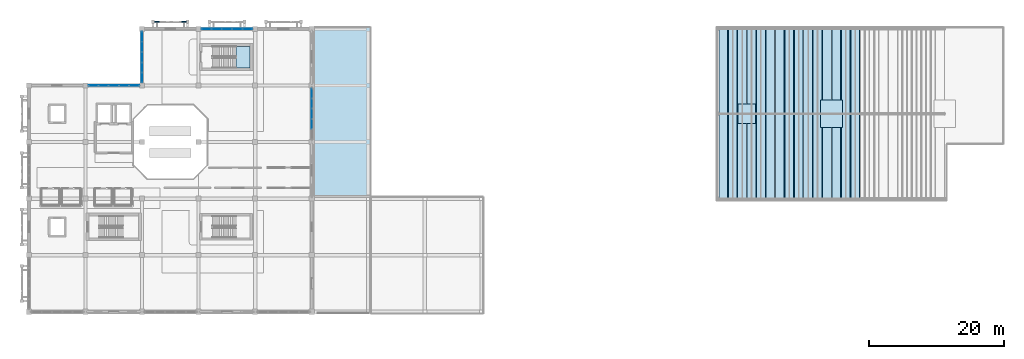
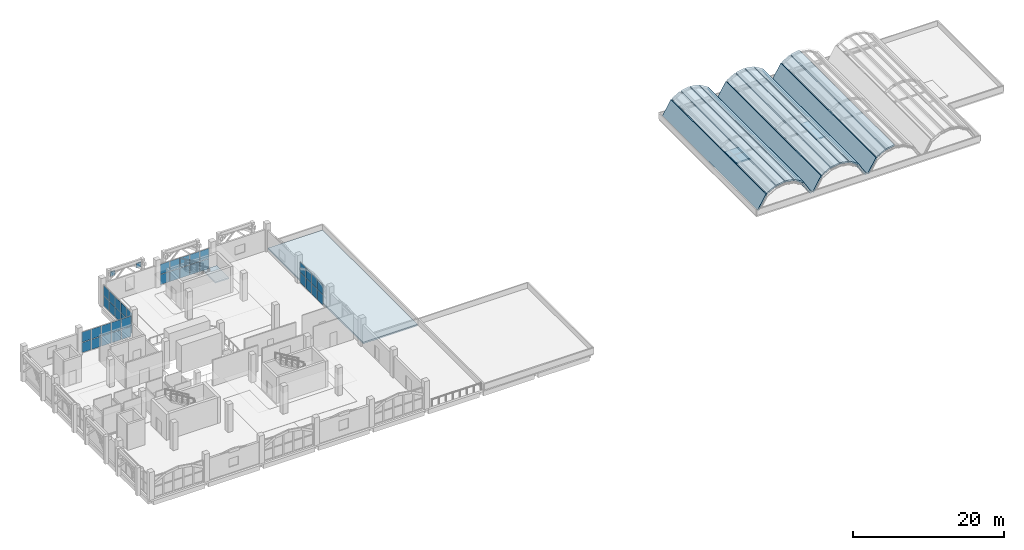
# One storey, part 22 of 34: 40 plates, 19 slabs, 5 elements without a shape of their own.
"""IFC4 building model written with IfcOpenShell, lengths in metres."""

from ifc_helpers import new_model, si_unit, direction, frame, origin, origin_2d, place, context, subcontext, project, spatial, polyline, rectangle, outline, extrude, material, layer, layer_set, type_object, element, aggregate, save


model = new_model("IFC4")

# Units and contexts
model_context = context("Model", 3, precision=1e-05, world=origin(), true_north=direction((0.0, 1.0)))
body_context = subcontext(model_context, "Body", "Model", "MODEL_VIEW")
ifc_project = project(units=[si_unit("LENGTHUNIT", "METRE"), si_unit("AREAUNIT", "SQUARE_METRE"), si_unit("VOLUMEUNIT", "CUBIC_METRE"), si_unit("PLANEANGLEUNIT", "RADIAN"), si_unit("MASSUNIT", "GRAM", prefix="KILO")], contexts=[model_context])

# Site, building, storey
site_placement = place(None, origin())
site = spatial("IfcSite", under=ifc_project, at=site_placement, CompositionType="ELEMENT")
building_placement = place(site_placement, origin())
building = spatial("IfcBuilding", under=site, at=building_placement, Name="Xazarin Passage Department Store", CompositionType="ELEMENT")
storey_placement = place(building_placement, frame((0.0, 0.0, 18.89990234375)))
storey = spatial("IfcBuildingStorey", under=building, at=storey_placement, Name="L04", CompositionType="ELEMENT", Elevation=18.89990234375)

# Curtain wall, plates
ifc_material_1 = material(Name="Bronze anodised aluminium", Category="aluminium")
ifc_layer_1 = layer(ifc_material_1, 0.199951171875)
ifc_layer_set_1 = layer_set([ifc_layer_1], Name="Bronze anodised aluminium")
curtain_wall_type = type_object("IfcCurtainWallType", Name="ARC-CW-VIT2", PredefinedType="NOTDEFINED", material=ifc_layer_set_1)
curtain_wall_1_placement = place(storey_placement, origin())
curtain_wall_1 = element("IfcCurtainWall", 1, at=curtain_wall_1_placement, inside=storey, type_object=curtain_wall_type, Name="L04 V1 Curtain Wall 070", PredefinedType="NOTDEFINED")
ifc_material_2 = material(Name="Low-E laminated safety glass", Category="glass")
ifc_layer_2 = layer(ifc_material_2, 0.031982421875)
ifc_layer_set_2 = layer_set([ifc_layer_2], Name="Low-E laminated safety glass")
plate_type_1 = type_object("IfcPlateType", Name="ARC-CWP-GLZ32", PredefinedType="CURTAIN_PANEL", material=ifc_layer_set_2)
plate_1_placement = place(storey_placement, frame((9.558837890625, 101.60009765625, 0.0751953125), z_axis=(0.0, 0.0, 1.0), x_axis=(1.0, 0.0, 0.0)))
plate_1 = element("IfcPlate", 2, at=plate_1_placement, type_object=plate_type_1, Name="CW2 panel 1.1", PredefinedType="CURTAIN_PANEL", context=body_context, shape_type="SweptSolid", body=[
    extrude(rectangle(XDim=1.41748046875, YDim=0.031982421875, at=origin_2d()), origin(), (0.0, 0.0, 1.0), 1.612548828125),
])
plate_2_placement = place(storey_placement, frame((9.558837890625, 101.60009765625, 1.7626953125), z_axis=(0.0, 0.0, 1.0), x_axis=(1.0, 0.0, 0.0)))
plate_2 = element("IfcPlate", 3, at=plate_2_placement, type_object=plate_type_1, Name="CW2 panel 1.2", PredefinedType="CURTAIN_PANEL", context=body_context, shape_type="SweptSolid", body=[
    extrude(rectangle(XDim=1.41748046875, YDim=0.031982421875, at=origin_2d()), origin(), (0.0, 0.0, 1.0), 1.612548828125),
])
plate_3_placement = place(storey_placement, frame((11.070068359375, 101.60009765625, 0.0751953125), z_axis=(0.0, 0.0, 1.0), x_axis=(1.0, 0.0, 0.0)))
plate_3 = element("IfcPlate", 4, at=plate_3_placement, type_object=plate_type_1, Name="CW2 panel 2.1", PredefinedType="CURTAIN_PANEL", context=body_context, shape_type="SweptSolid", body=[
    extrude(rectangle(XDim=1.455078125, YDim=0.031982421875, at=origin_2d()), origin(), (0.0, 0.0, 1.0), 1.612548828125),
])
plate_4_placement = place(storey_placement, frame((11.070068359375, 101.60009765625, 1.7626953125), z_axis=(0.0, 0.0, 1.0), x_axis=(1.0, 0.0, 0.0)))
plate_4 = element("IfcPlate", 5, at=plate_4_placement, type_object=plate_type_1, Name="CW2 panel 2.2", PredefinedType="CURTAIN_PANEL", context=body_context, shape_type="SweptSolid", body=[
    extrude(rectangle(XDim=1.455078125, YDim=0.031982421875, at=origin_2d()), origin(), (0.0, 0.0, 1.0), 1.612548828125),
])
plate_5_placement = place(storey_placement, frame((12.60009765625, 101.60009765625, 0.0751953125), z_axis=(0.0, 0.0, 1.0), x_axis=(1.0, 0.0, 0.0)))
plate_5 = element("IfcPlate", 6, at=plate_5_placement, type_object=plate_type_1, Name="CW2 panel 3.1", PredefinedType="CURTAIN_PANEL", context=body_context, shape_type="SweptSolid", body=[
    extrude(rectangle(XDim=1.455078125, YDim=0.031982421875, at=origin_2d()), origin(), (0.0, 0.0, 1.0), 1.612548828125),
])
plate_6_placement = place(storey_placement, frame((12.60009765625, 101.60009765625, 1.7626953125), z_axis=(0.0, 0.0, 1.0), x_axis=(1.0, 0.0, 0.0)))
plate_6 = element("IfcPlate", 7, at=plate_6_placement, type_object=plate_type_1, Name="CW2 panel 3.2", PredefinedType="CURTAIN_PANEL", context=body_context, shape_type="SweptSolid", body=[
    extrude(rectangle(XDim=1.455078125, YDim=0.031982421875, at=origin_2d()), origin(), (0.0, 0.0, 1.0), 1.612548828125),
])
plate_7_placement = place(storey_placement, frame((14.1298828125, 101.60009765625, 0.0751953125), z_axis=(0.0, 0.0, 1.0), x_axis=(1.0, 0.0, 0.0)))
plate_7 = element("IfcPlate", 8, at=plate_7_placement, type_object=plate_type_1, Name="CW2 panel 4.1", PredefinedType="CURTAIN_PANEL", context=body_context, shape_type="SweptSolid", body=[
    extrude(rectangle(XDim=1.455078125, YDim=0.031982421875, at=origin_2d()), origin(), (0.0, 0.0, 1.0), 1.612548828125),
])
plate_8_placement = place(storey_placement, frame((14.1298828125, 101.60009765625, 1.7626953125), z_axis=(0.0, 0.0, 1.0), x_axis=(1.0, 0.0, 0.0)))
plate_8 = element("IfcPlate", 9, at=plate_8_placement, type_object=plate_type_1, Name="CW2 panel 4.2", PredefinedType="CURTAIN_PANEL", context=body_context, shape_type="SweptSolid", body=[
    extrude(rectangle(XDim=1.455078125, YDim=0.031982421875, at=origin_2d()), origin(), (0.0, 0.0, 1.0), 1.612548828125),
])
plate_9_placement = place(storey_placement, frame((15.641357421875, 101.60009765625, 0.0751953125), z_axis=(0.0, 0.0, 1.0), x_axis=(1.0, 0.0, 0.0)))
plate_9 = element("IfcPlate", 10, at=plate_9_placement, type_object=plate_type_1, Name="CW2 panel 5.1", PredefinedType="CURTAIN_PANEL", context=body_context, shape_type="SweptSolid", body=[
    extrude(rectangle(XDim=1.41748046875, YDim=0.031982421875, at=origin_2d()), origin(), (0.0, 0.0, 1.0), 1.612548828125),
])
plate_10_placement = place(storey_placement, frame((15.641357421875, 101.60009765625, 1.7626953125), z_axis=(0.0, 0.0, 1.0), x_axis=(1.0, 0.0, 0.0)))
plate_10 = element("IfcPlate", 11, at=plate_10_placement, type_object=plate_type_1, Name="CW2 panel 5.2", PredefinedType="CURTAIN_PANEL", context=body_context, shape_type="SweptSolid", body=[
    extrude(rectangle(XDim=1.41748046875, YDim=0.031982421875, at=origin_2d()), origin(), (0.0, 0.0, 1.0), 1.612548828125),
])
aggregate(curtain_wall_1, [plate_1, plate_2, plate_3, plate_4, plate_5, plate_6, plate_7, plate_8, plate_9, plate_10])

curtain_wall_2_placement = place(storey_placement, origin())
curtain_wall_2 = element("IfcCurtainWall", 12, at=curtain_wall_2_placement, inside=storey, type_object=curtain_wall_type, Name="L04 V1 Curtain Wall 071", PredefinedType="NOTDEFINED")
plate_11_placement = place(storey_placement, frame((26.358642578125, 110.0, 0.0751953125), z_axis=(0.0, 0.0, 1.0), x_axis=(1.0, 0.0, 0.0)))
plate_11 = element("IfcPlate", 13, at=plate_11_placement, type_object=plate_type_1, Name="CW2 panel 1.1", PredefinedType="CURTAIN_PANEL", context=body_context, shape_type="SweptSolid", body=[
    extrude(rectangle(XDim=1.41748046875, YDim=0.031982421875, at=origin_2d()), origin(), (0.0, 0.0, 1.0), 1.612548828125),
])
plate_12_placement = place(storey_placement, frame((26.358642578125, 110.0, 1.7626953125), z_axis=(0.0, 0.0, 1.0), x_axis=(1.0, 0.0, 0.0)))
plate_12 = element("IfcPlate", 14, at=plate_12_placement, type_object=plate_type_1, Name="CW2 panel 1.2", PredefinedType="CURTAIN_PANEL", context=body_context, shape_type="SweptSolid", body=[
    extrude(rectangle(XDim=1.41748046875, YDim=0.031982421875, at=origin_2d()), origin(), (0.0, 0.0, 1.0), 1.612548828125),
])
plate_13_placement = place(storey_placement, frame((27.8701171875, 110.0, 0.0751953125), z_axis=(0.0, 0.0, 1.0), x_axis=(1.0, 0.0, 0.0)))
plate_13 = element("IfcPlate", 15, at=plate_13_placement, type_object=plate_type_1, Name="CW2 panel 2.1", PredefinedType="CURTAIN_PANEL", context=body_context, shape_type="SweptSolid", body=[
    extrude(rectangle(XDim=1.455078125, YDim=0.031982421875, at=origin_2d()), origin(), (0.0, 0.0, 1.0), 1.612548828125),
])
plate_14_placement = place(storey_placement, frame((27.8701171875, 110.0, 1.7626953125), z_axis=(0.0, 0.0, 1.0), x_axis=(1.0, 0.0, 0.0)))
plate_14 = element("IfcPlate", 16, at=plate_14_placement, type_object=plate_type_1, Name="CW2 panel 2.2", PredefinedType="CURTAIN_PANEL", context=body_context, shape_type="SweptSolid", body=[
    extrude(rectangle(XDim=1.455078125, YDim=0.031982421875, at=origin_2d()), origin(), (0.0, 0.0, 1.0), 1.612548828125),
])
plate_15_placement = place(storey_placement, frame((29.39990234375, 110.0, 0.0751953125), z_axis=(0.0, 0.0, 1.0), x_axis=(1.0, 0.0, 0.0)))
plate_15 = element("IfcPlate", 17, at=plate_15_placement, type_object=plate_type_1, Name="CW2 panel 3.1", PredefinedType="CURTAIN_PANEL", context=body_context, shape_type="SweptSolid", body=[
    extrude(rectangle(XDim=1.455078125, YDim=0.031982421875, at=origin_2d()), origin(), (0.0, 0.0, 1.0), 1.612548828125),
])
plate_16_placement = place(storey_placement, frame((29.39990234375, 110.0, 1.7626953125), z_axis=(0.0, 0.0, 1.0), x_axis=(1.0, 0.0, 0.0)))
plate_16 = element("IfcPlate", 18, at=plate_16_placement, type_object=plate_type_1, Name="CW2 panel 3.2", PredefinedType="CURTAIN_PANEL", context=body_context, shape_type="SweptSolid", body=[
    extrude(rectangle(XDim=1.455078125, YDim=0.031982421875, at=origin_2d()), origin(), (0.0, 0.0, 1.0), 1.612548828125),
])
plate_17_placement = place(storey_placement, frame((30.929931640625, 110.0, 0.0751953125), z_axis=(0.0, 0.0, 1.0), x_axis=(1.0, 0.0, 0.0)))
plate_17 = element("IfcPlate", 19, at=plate_17_placement, type_object=plate_type_1, Name="CW2 panel 4.1", PredefinedType="CURTAIN_PANEL", context=body_context, shape_type="SweptSolid", body=[
    extrude(rectangle(XDim=1.455078125, YDim=0.031982421875, at=origin_2d()), origin(), (0.0, 0.0, 1.0), 1.612548828125),
])
plate_18_placement = place(storey_placement, frame((30.929931640625, 110.0, 1.7626953125), z_axis=(0.0, 0.0, 1.0), x_axis=(1.0, 0.0, 0.0)))
plate_18 = element("IfcPlate", 20, at=plate_18_placement, type_object=plate_type_1, Name="CW2 panel 4.2", PredefinedType="CURTAIN_PANEL", context=body_context, shape_type="SweptSolid", body=[
    extrude(rectangle(XDim=1.455078125, YDim=0.031982421875, at=origin_2d()), origin(), (0.0, 0.0, 1.0), 1.612548828125),
])
plate_19_placement = place(storey_placement, frame((32.441162109375, 110.0, 0.0751953125), z_axis=(0.0, 0.0, 1.0), x_axis=(1.0, 0.0, 0.0)))
plate_19 = element("IfcPlate", 21, at=plate_19_placement, type_object=plate_type_1, Name="CW2 panel 5.1", PredefinedType="CURTAIN_PANEL", context=body_context, shape_type="SweptSolid", body=[
    extrude(rectangle(XDim=1.41748046875, YDim=0.031982421875, at=origin_2d()), origin(), (0.0, 0.0, 1.0), 1.612548828125),
])
plate_20_placement = place(storey_placement, frame((32.441162109375, 110.0, 1.7626953125), z_axis=(0.0, 0.0, 1.0), x_axis=(1.0, 0.0, 0.0)))
plate_20 = element("IfcPlate", 22, at=plate_20_placement, type_object=plate_type_1, Name="CW2 panel 5.2", PredefinedType="CURTAIN_PANEL", context=body_context, shape_type="SweptSolid", body=[
    extrude(rectangle(XDim=1.41748046875, YDim=0.031982421875, at=origin_2d()), origin(), (0.0, 0.0, 1.0), 1.612548828125),
])
aggregate(curtain_wall_2, [plate_11, plate_12, plate_13, plate_14, plate_15, plate_16, plate_17, plate_18, plate_19, plate_20])

curtain_wall_3_placement = place(storey_placement, origin())
curtain_wall_3 = element("IfcCurtainWall", 23, at=curtain_wall_3_placement, inside=storey, type_object=curtain_wall_type, Name="L04 V1 Curtain Wall 074", PredefinedType="NOTDEFINED")
plate_21_placement = place(storey_placement, frame((16.800048828125, 102.7587890625, 0.0751953125), z_axis=(0.0, 0.0, 1.0), x_axis=(0.0, 1.0, 0.0)))
plate_21 = element("IfcPlate", 24, at=plate_21_placement, type_object=plate_type_1, Name="CW2 panel 1.1", PredefinedType="CURTAIN_PANEL", context=body_context, shape_type="SweptSolid", body=[
    extrude(rectangle(XDim=1.41748046875, YDim=0.031982421875, at=origin_2d()), origin(), (0.0, 0.0, 1.0), 1.612548828125),
])
plate_22_placement = place(storey_placement, frame((16.800048828125, 102.7587890625, 1.7626953125), z_axis=(0.0, 0.0, 1.0), x_axis=(0.0, 1.0, 0.0)))
plate_22 = element("IfcPlate", 25, at=plate_22_placement, type_object=plate_type_1, Name="CW2 panel 1.2", PredefinedType="CURTAIN_PANEL", context=body_context, shape_type="SweptSolid", body=[
    extrude(rectangle(XDim=1.41748046875, YDim=0.031982421875, at=origin_2d()), origin(), (0.0, 0.0, 1.0), 1.612548828125),
])
plate_23_placement = place(storey_placement, frame((16.800048828125, 104.27001953125, 0.0751953125), z_axis=(0.0, 0.0, 1.0), x_axis=(0.0, 1.0, 0.0)))
plate_23 = element("IfcPlate", 26, at=plate_23_placement, type_object=plate_type_1, Name="CW2 panel 2.1", PredefinedType="CURTAIN_PANEL", context=body_context, shape_type="SweptSolid", body=[
    extrude(rectangle(XDim=1.455078125, YDim=0.031982421875, at=origin_2d()), origin(), (0.0, 0.0, 1.0), 1.612548828125),
])
plate_24_placement = place(storey_placement, frame((16.800048828125, 104.27001953125, 1.7626953125), z_axis=(0.0, 0.0, 1.0), x_axis=(0.0, 1.0, 0.0)))
plate_24 = element("IfcPlate", 27, at=plate_24_placement, type_object=plate_type_1, Name="CW2 panel 2.2", PredefinedType="CURTAIN_PANEL", context=body_context, shape_type="SweptSolid", body=[
    extrude(rectangle(XDim=1.455078125, YDim=0.031982421875, at=origin_2d()), origin(), (0.0, 0.0, 1.0), 1.612548828125),
])
plate_25_placement = place(storey_placement, frame((16.800048828125, 105.800048828125, 0.0751953125), z_axis=(0.0, 0.0, 1.0), x_axis=(0.0, 1.0, 0.0)))
plate_25 = element("IfcPlate", 28, at=plate_25_placement, type_object=plate_type_1, Name="CW2 panel 3.1", PredefinedType="CURTAIN_PANEL", context=body_context, shape_type="SweptSolid", body=[
    extrude(rectangle(XDim=1.455078125, YDim=0.031982421875, at=origin_2d()), origin(), (0.0, 0.0, 1.0), 1.612548828125),
])
plate_26_placement = place(storey_placement, frame((16.800048828125, 105.800048828125, 1.7626953125), z_axis=(0.0, 0.0, 1.0), x_axis=(0.0, 1.0, 0.0)))
plate_26 = element("IfcPlate", 29, at=plate_26_placement, type_object=plate_type_1, Name="CW2 panel 3.2", PredefinedType="CURTAIN_PANEL", context=body_context, shape_type="SweptSolid", body=[
    extrude(rectangle(XDim=1.455078125, YDim=0.031982421875, at=origin_2d()), origin(), (0.0, 0.0, 1.0), 1.612548828125),
])
plate_27_placement = place(storey_placement, frame((16.800048828125, 107.330078125, 0.0751953125), z_axis=(0.0, 0.0, 1.0), x_axis=(0.0, 1.0, 0.0)))
plate_27 = element("IfcPlate", 30, at=plate_27_placement, type_object=plate_type_1, Name="CW2 panel 4.1", PredefinedType="CURTAIN_PANEL", context=body_context, shape_type="SweptSolid", body=[
    extrude(rectangle(XDim=1.455078125, YDim=0.031982421875, at=origin_2d()), origin(), (0.0, 0.0, 1.0), 1.612548828125),
])
plate_28_placement = place(storey_placement, frame((16.800048828125, 107.330078125, 1.7626953125), z_axis=(0.0, 0.0, 1.0), x_axis=(0.0, 1.0, 0.0)))
plate_28 = element("IfcPlate", 31, at=plate_28_placement, type_object=plate_type_1, Name="CW2 panel 4.2", PredefinedType="CURTAIN_PANEL", context=body_context, shape_type="SweptSolid", body=[
    extrude(rectangle(XDim=1.455078125, YDim=0.031982421875, at=origin_2d()), origin(), (0.0, 0.0, 1.0), 1.612548828125),
])
plate_29_placement = place(storey_placement, frame((16.800048828125, 108.84130859375, 0.0751953125), z_axis=(0.0, 0.0, 1.0), x_axis=(0.0, 1.0, 0.0)))
plate_29 = element("IfcPlate", 32, at=plate_29_placement, type_object=plate_type_1, Name="CW2 panel 5.1", PredefinedType="CURTAIN_PANEL", context=body_context, shape_type="SweptSolid", body=[
    extrude(rectangle(XDim=1.41748046875, YDim=0.031982421875, at=origin_2d()), origin(), (0.0, 0.0, 1.0), 1.612548828125),
])
plate_30_placement = place(storey_placement, frame((16.800048828125, 108.84130859375, 1.7626953125), z_axis=(0.0, 0.0, 1.0), x_axis=(0.0, 1.0, 0.0)))
plate_30 = element("IfcPlate", 33, at=plate_30_placement, type_object=plate_type_1, Name="CW2 panel 5.2", PredefinedType="CURTAIN_PANEL", context=body_context, shape_type="SweptSolid", body=[
    extrude(rectangle(XDim=1.41748046875, YDim=0.031982421875, at=origin_2d()), origin(), (0.0, 0.0, 1.0), 1.612548828125),
])
aggregate(curtain_wall_3, [plate_21, plate_22, plate_23, plate_24, plate_25, plate_26, plate_27, plate_28, plate_29, plate_30])

curtain_wall_4_placement = place(storey_placement, origin())
curtain_wall_4 = element("IfcCurtainWall", 34, at=curtain_wall_4_placement, inside=storey, type_object=curtain_wall_type, Name="L04 V1 Curtain Wall 075", PredefinedType="NOTDEFINED")
plate_31_placement = place(storey_placement, frame((42.0, 95.8701171875, 0.0751953125), z_axis=(0.0, 0.0, 1.0), x_axis=(0.0, 1.0, 0.0)))
plate_31 = element("IfcPlate", 35, at=plate_31_placement, type_object=plate_type_1, Name="CW2 panel 2.1", PredefinedType="CURTAIN_PANEL", context=body_context, shape_type="SweptSolid", body=[
    extrude(rectangle(XDim=1.455078125, YDim=0.031982421875, at=origin_2d()), origin(), (0.0, 0.0, 1.0), 1.612548828125),
])
plate_32_placement = place(storey_placement, frame((42.0, 95.8701171875, 1.7626953125), z_axis=(0.0, 0.0, 1.0), x_axis=(0.0, 1.0, 0.0)))
plate_32 = element("IfcPlate", 36, at=plate_32_placement, type_object=plate_type_1, Name="CW2 panel 2.2", PredefinedType="CURTAIN_PANEL", context=body_context, shape_type="SweptSolid", body=[
    extrude(rectangle(XDim=1.455078125, YDim=0.031982421875, at=origin_2d()), origin(), (0.0, 0.0, 1.0), 1.612548828125),
])
plate_33_placement = place(storey_placement, frame((42.0, 97.39990234375, 0.0751953125), z_axis=(0.0, 0.0, 1.0), x_axis=(0.0, 1.0, 0.0)))
plate_33 = element("IfcPlate", 37, at=plate_33_placement, type_object=plate_type_1, Name="CW2 panel 3.1", PredefinedType="CURTAIN_PANEL", context=body_context, shape_type="SweptSolid", body=[
    extrude(rectangle(XDim=1.455078125, YDim=0.031982421875, at=origin_2d()), origin(), (0.0, 0.0, 1.0), 1.612548828125),
])
plate_34_placement = place(storey_placement, frame((42.0, 97.39990234375, 1.7626953125), z_axis=(0.0, 0.0, 1.0), x_axis=(0.0, 1.0, 0.0)))
plate_34 = element("IfcPlate", 38, at=plate_34_placement, type_object=plate_type_1, Name="CW2 panel 3.2", PredefinedType="CURTAIN_PANEL", context=body_context, shape_type="SweptSolid", body=[
    extrude(rectangle(XDim=1.455078125, YDim=0.031982421875, at=origin_2d()), origin(), (0.0, 0.0, 1.0), 1.612548828125),
])
plate_35_placement = place(storey_placement, frame((42.0, 98.929931640625, 0.0751953125), z_axis=(0.0, 0.0, 1.0), x_axis=(0.0, 1.0, 0.0)))
plate_35 = element("IfcPlate", 39, at=plate_35_placement, type_object=plate_type_1, Name="CW2 panel 4.1", PredefinedType="CURTAIN_PANEL", context=body_context, shape_type="SweptSolid", body=[
    extrude(rectangle(XDim=1.455078125, YDim=0.031982421875, at=origin_2d()), origin(), (0.0, 0.0, 1.0), 1.612548828125),
])
plate_36_placement = place(storey_placement, frame((42.0, 98.929931640625, 1.7626953125), z_axis=(0.0, 0.0, 1.0), x_axis=(0.0, 1.0, 0.0)))
plate_36 = element("IfcPlate", 40, at=plate_36_placement, type_object=plate_type_1, Name="CW2 panel 4.2", PredefinedType="CURTAIN_PANEL", context=body_context, shape_type="SweptSolid", body=[
    extrude(rectangle(XDim=1.455078125, YDim=0.031982421875, at=origin_2d()), origin(), (0.0, 0.0, 1.0), 1.612548828125),
])
plate_37_placement = place(storey_placement, frame((42.0, 100.441162109375, 0.0751953125), z_axis=(0.0, 0.0, 1.0), x_axis=(0.0, 1.0, 0.0)))
plate_37 = element("IfcPlate", 41, at=plate_37_placement, type_object=plate_type_1, Name="CW2 panel 5.1", PredefinedType="CURTAIN_PANEL", context=body_context, shape_type="SweptSolid", body=[
    extrude(rectangle(XDim=1.41748046875, YDim=0.031982421875, at=origin_2d()), origin(), (0.0, 0.0, 1.0), 1.612548828125),
])
plate_38_placement = place(storey_placement, frame((42.0, 100.441162109375, 1.7626953125), z_axis=(0.0, 0.0, 1.0), x_axis=(0.0, 1.0, 0.0)))
plate_38 = element("IfcPlate", 42, at=plate_38_placement, type_object=plate_type_1, Name="CW2 panel 5.2", PredefinedType="CURTAIN_PANEL", context=body_context, shape_type="SweptSolid", body=[
    extrude(rectangle(XDim=1.41748046875, YDim=0.031982421875, at=origin_2d()), origin(), (0.0, 0.0, 1.0), 1.612548828125),
])
aggregate(curtain_wall_4, [plate_31, plate_32, plate_33, plate_34, plate_35, plate_36, plate_37, plate_38])

# Plates
ifc_material_3 = material(Name="Precast concrete C40/50", Category="concrete")
ifc_layer_3 = layer(ifc_material_3, 0.159912109375)
ifc_layer_set_3 = layer_set([ifc_layer_3], Name="Precast concrete C40/50")
plate_type_2 = type_object("IfcPlateType", Name="ARC-PLT-SCR-09", PredefinedType="USERDEFINED", material=ifc_layer_set_3)
for number, where, z_axis, x_axis, name in (
    (43, (19.0, 111.050048828125, 3.26025390625), (0.0, 0.0, 1.0), (1.0, 0.0, 0.0), "L04 V1 Arch Spandrel Tympanum 0009"),
    (44, (23.0, 111.050048828125, 3.26025390625), (0.0, 0.0, 1.0), (1.0, 0.0, 0.0), "L04 V1 Arch Spandrel Tympanum 0010"),
):
    element("IfcPlate", number, at=place(storey_placement, frame(where, z_axis=z_axis, x_axis=x_axis)), inside=storey, type_object=plate_type_2, Name=name, ObjectType="SCREEN PANEL", PredefinedType="USERDEFINED", context=body_context, shape_type="SweptSolid", body=[
        extrude(rectangle(XDim=0.679931640625, YDim=0.159912109375, at=origin_2d()), origin(), (0.0, 0.0, 1.0), 0.719970703125),
    ])

# Stair, slab
ifc_material_4 = material(Name="Concrete C35/45", Category="concrete")
stair_type = type_object("IfcStairType", Name="ARC-ST-TYP", PredefinedType="HALF_TURN_STAIR", material=ifc_material_4)
stair_placement = place(storey_placement, origin())
stair = element("IfcStair", 45, at=stair_placement, inside=storey, type_object=stair_type, Name="L04 Exit Stair ST2", PredefinedType="HALF_TURN_STAIR")
ifc_layer_4 = layer(ifc_material_4, 0.199951171875)
ifc_layer_set_4 = layer_set([ifc_layer_4], Name="Concrete C35/45")
slab_type_1 = type_object("IfcSlabType", Name="STR-SLB-LND200", PredefinedType="LANDING", material=ifc_layer_set_4)
slab_1_placement = place(storey_placement, frame((0.0, 0.0, 2.050048828125)))
slab_1 = element("IfcSlab", 46, at=slab_1_placement, type_object=slab_type_1, Name="ST2 landing 1", PredefinedType="LANDING", context=body_context, shape_type="SweptSolid", body=[
    extrude(outline(polyline([(30.75, 104.179931640625), (32.85009765625, 104.179931640625), (32.85009765625, 107.419921875), (30.75, 107.419921875), (30.75, 104.179931640625)])), origin(), (0.0, 0.0, 1.0), 0.199951171875),
])
aggregate(stair, [slab_1])

# Slabs
ifc_layer_5 = layer(ifc_material_4, 0.2099609375)
ifc_layer_set_5 = layer_set([ifc_layer_5], Name="Concrete C35/45")
slab_type_2 = type_object("IfcSlabType", Name="STR-SLB-OVR210", PredefinedType="ROOF", material=ifc_layer_set_5)
slab_2_placement = place(storey_placement, frame((0.0, 0.0, 0.150146484375)))
element("IfcSlab", 47, at=slab_2_placement, inside=storey, type_object=slab_type_2, Name="Lift PL5 Overrun Roof Slab", PredefinedType="ROOF", context=body_context, shape_type="SweptSolid", body=[
    extrude(outline(polyline([(105.27001953125, 95.919921875), (107.929931640625, 95.919921875), (107.929931640625, 98.8798828125), (105.27001953125, 98.8798828125), (105.27001953125, 95.919921875)])), origin(), (0.0, 0.0, 1.0), 0.2099609375),
])
slab_3_placement = place(storey_placement, frame((0.0, 0.0, 0.150146484375)))
element("IfcSlab", 48, at=slab_3_placement, inside=storey, type_object=slab_type_2, Name="Lift GL1 Overrun Roof Slab", PredefinedType="ROOF", context=body_context, shape_type="SweptSolid", body=[
    extrude(outline(polyline([(117.570068359375, 95.3701171875), (120.830078125, 95.3701171875), (120.830078125, 99.429931640625), (117.570068359375, 99.429931640625), (117.570068359375, 95.3701171875)])), origin(), (0.0, 0.0, 1.0), 0.2099609375),
])
ifc_layer_6 = layer(ifc_material_4, 0.260009765625)
ifc_layer_set_6 = layer_set([ifc_layer_6], Name="Concrete C35/45")
slab_type_3 = type_object("IfcSlabType", Name="STR-SLB-RF260", PredefinedType="ROOF", material=ifc_layer_set_6)
slab_4_placement = place(storey_placement, frame((0.0, 0.0, -0.260009765625)))
element("IfcSlab", 49, at=slab_4_placement, inside=storey, type_object=slab_type_3, Name="L04 V1 Setback Roof Slab 2", PredefinedType="ROOF", context=body_context, shape_type="SweptSolid", body=[
    extrude(outline(polyline([(42.35009765625, 110.300048828125), (42.35009765625, 85.14990234375), (50.699951171875, 85.14990234375), (50.699951171875, 110.300048828125), (42.35009765625, 110.300048828125)])), origin(), (0.0, 0.0, 1.0), 0.260009765625),
])
ifc_material_5 = material(Name="Concrete C40/50", Category="concrete")
ifc_layer_7 = layer(ifc_material_5, 0.239990234375)
ifc_layer_set_7 = layer_set([ifc_layer_7], Name="Concrete C40/50")
slab_type_4 = type_object("IfcSlabType", Name="STR-SLB-SHL240", PredefinedType="ROOF", material=ifc_layer_set_7)
slab_5_placement = place(storey_placement, frame((102.4560546875, 84.800048828125, 0.509521484375), z_axis=(-0.860227148468, 0.0, 0.509911024629), x_axis=(0.509911024629, 0.0, 0.860227148468)))
element("IfcSlab", 50, at=slab_5_placement, inside=storey, type_object=slab_type_4, Name="L04 V4 Curved Barrel Shell Facet 1.1", PredefinedType="ROOF", context=body_context, shape_type="SweptSolid", body=[
    extrude(outline(polyline([(0.0, 0.0), (2.5256206174650546, 0.0), (2.5256206174650546, 25.199951171875), (0.0, 25.199951171875), (0.0, 0.0)])), origin(), (0.0, 0.0, -1.0), 0.239990234375),
])
slab_6_placement = place(storey_placement, frame((103.85595703125, 84.800048828125, 2.808837890625), z_axis=(-0.497890412948, 0.0, 0.867239953355), x_axis=(0.867239953355, 0.0, 0.497890412948)))
element("IfcSlab", 51, at=slab_6_placement, inside=storey, type_object=slab_type_4, Name="L04 V4 Curved Barrel Shell Facet 1.2", PredefinedType="ROOF", context=body_context, shape_type="SweptSolid", body=[
    extrude(outline(polyline([(0.0, 0.0), (1.4852705211714612, 0.0), (1.4852705211714612, 25.199951171875007), (0.0, 25.199951171875007), (0.0, 0.0)])), origin(), (0.0, 0.0, -1.0), 0.239990234375),
])
slab_7_placement = place(storey_placement, frame((105.256103515625, 84.800048828125, 3.58984375), z_axis=(-0.165278168703, 0.0, 0.986246990845), x_axis=(0.986246990845, 0.0, 0.165278168703)))
element("IfcSlab", 52, at=slab_7_placement, inside=storey, type_object=slab_type_4, Name="L04 V4 Curved Barrel Shell Facet 1.3", PredefinedType="ROOF", context=body_context, shape_type="SweptSolid", body=[
    extrude(outline(polyline([(0.0, 0.0), (1.3058004828708811, 0.0), (1.3058004828708811, 25.199951171875), (0.0, 25.199951171875), (0.0, 0.0)])), origin(), (0.0, 0.0, -1.0), 0.239990234375),
])
slab_8_placement = place(storey_placement, frame((106.656005859375, 84.800048828125, 3.8056640625), z_axis=(0.16524769779, 0.0, 0.986252096766), x_axis=(0.986252096766, 0.0, -0.16524769779)))
element("IfcSlab", 53, at=slab_8_placement, inside=storey, type_object=slab_type_4, Name="L04 V4 Curved Barrel Shell Facet 1.4", PredefinedType="ROOF", context=body_context, shape_type="SweptSolid", body=[
    extrude(outline(polyline([(0.0, 0.0), (1.3060412664509693, 0.0), (1.3060412664509693, 25.199951171875007), (0.0, 25.199951171875007), (0.0, 0.0)])), origin(), (0.0, 0.0, -1.0), 0.239990234375),
])
slab_9_placement = place(storey_placement, frame((108.055908203125, 84.800048828125, 3.54833984375), z_axis=(0.497890412948, 0.0, 0.867239953355), x_axis=(0.867239953355, 0.0, -0.497890412948)))
element("IfcSlab", 54, at=slab_9_placement, inside=storey, type_object=slab_type_4, Name="L04 V4 Curved Barrel Shell Facet 1.5", PredefinedType="ROOF", context=body_context, shape_type="SweptSolid", body=[
    extrude(outline(polyline([(0.0, 0.0), (1.4852705211714612, 0.0), (1.4852705211714612, 25.199951171875007), (0.0, 25.199951171875007), (0.0, 0.0)])), origin(), (0.0, 0.0, -1.0), 0.239990234375),
])
slab_10_placement = place(storey_placement, frame((109.4560546875, 84.800048828125, 2.68212890625), z_axis=(0.860227148468, 0.0, 0.509911024629), x_axis=(0.509911024629, 0.0, -0.860227148468)))
element("IfcSlab", 55, at=slab_10_placement, inside=storey, type_object=slab_type_4, Name="L04 V4 Curved Barrel Shell Facet 1.6", PredefinedType="ROOF", context=body_context, shape_type="SweptSolid", body=[
    extrude(outline(polyline([(0.0, 0.0), (2.5256206174650546, 0.0), (2.5256206174650546, 25.199951171875), (0.0, 25.199951171875), (0.0, 0.0)])), origin(), (0.0, 0.0, -1.0), 0.239990234375),
])
slab_11_placement = place(storey_placement, frame((110.85595703125, 84.800048828125, 0.509521484375), z_axis=(-0.860184746254, 0.0, 0.509982550987), x_axis=(0.509982550987, 0.0, 0.860184746254)))
element("IfcSlab", 56, at=slab_11_placement, inside=storey, type_object=slab_type_4, Name="L04 V4 Curved Barrel Shell Facet 2.1", PredefinedType="ROOF", context=body_context, shape_type="SweptSolid", body=[
    extrude(outline(polyline([(0.0, 0.0), (2.525745116192762, 0.0), (2.525745116192762, 25.199951171875), (0.0, 25.199951171875), (0.0, 0.0)])), origin(), (0.0, 0.0, -1.0), 0.239990234375),
])
slab_12_placement = place(storey_placement, frame((112.256103515625, 84.800048828125, 2.808837890625), z_axis=(-0.497961396747, 0.0, 0.867199197042), x_axis=(0.867199197042, 0.0, 0.497961396747)))
element("IfcSlab", 57, at=slab_12_placement, inside=storey, type_object=slab_type_4, Name="L04 V4 Curved Barrel Shell Facet 2.2", PredefinedType="ROOF", context=body_context, shape_type="SweptSolid", body=[
    extrude(outline(polyline([(0.0, 0.0), (1.4850587976420053, 0.0), (1.4850587976420053, 25.199951171875007), (0.0, 25.199951171875007), (0.0, 0.0)])), origin(), (0.0, 0.0, -1.0), 0.239990234375),
])
for number, where, z_axis, x_axis, name in (
    (58, (113.656005859375, 84.800048828125, 3.58984375), (-0.16524769779, 0.0, 0.986252096766), (0.986252096766, 0.0, 0.16524769779), "L04 V4 Curved Barrel Shell Facet 2.3"),
    (59, (115.055908203125, 84.800048828125, 3.8056640625), (0.16524769779, 0.0, 0.986252096766), (0.986252096766, 0.0, -0.16524769779), "L04 V4 Curved Barrel Shell Facet 2.4"),
):
    element("IfcSlab", number, at=place(storey_placement, frame(where, z_axis=z_axis, x_axis=x_axis)), inside=storey, type_object=slab_type_4, Name=name, PredefinedType="ROOF", context=body_context, shape_type="SweptSolid", body=[
        extrude(outline(polyline([(0.0, 0.0), (1.3060412664509693, 0.0), (1.3060412664509693, 25.199951171875007), (0.0, 25.199951171875007), (0.0, 0.0)])), origin(), (0.0, 0.0, -1.0), 0.239990234375),
    ])
slab_13_placement = place(storey_placement, frame((116.4560546875, 84.800048828125, 3.54833984375), z_axis=(0.497961396747, 0.0, 0.867199197042), x_axis=(0.867199197042, 0.0, -0.497961396747)))
element("IfcSlab", 60, at=slab_13_placement, inside=storey, type_object=slab_type_4, Name="L04 V4 Curved Barrel Shell Facet 2.5", PredefinedType="ROOF", context=body_context, shape_type="SweptSolid", body=[
    extrude(outline(polyline([(0.0, 0.0), (1.4850587976420053, 0.0), (1.4850587976420053, 25.199951171875007), (0.0, 25.199951171875007), (0.0, 0.0)])), origin(), (0.0, 0.0, -1.0), 0.239990234375),
])
slab_14_placement = place(storey_placement, frame((117.85595703125, 84.800048828125, 2.68212890625), z_axis=(0.860184746254, 0.0, 0.509982550987), x_axis=(0.509982550987, 0.0, -0.860184746254)))
element("IfcSlab", 61, at=slab_14_placement, inside=storey, type_object=slab_type_4, Name="L04 V4 Curved Barrel Shell Facet 2.6", PredefinedType="ROOF", context=body_context, shape_type="SweptSolid", body=[
    extrude(outline(polyline([(0.0, 0.0), (2.525745116192762, 0.0), (2.525745116192762, 25.199951171875), (0.0, 25.199951171875), (0.0, 0.0)])), origin(), (0.0, 0.0, -1.0), 0.239990234375),
])
slab_15_placement = place(storey_placement, frame((119.256103515625, 84.800048828125, 0.509521484375), z_axis=(-0.860227148468, 0.0, 0.509911024629), x_axis=(0.509911024629, 0.0, 0.860227148468)))
element("IfcSlab", 62, at=slab_15_placement, inside=storey, type_object=slab_type_4, Name="L04 V4 Curved Barrel Shell Facet 3.1", PredefinedType="ROOF", context=body_context, shape_type="SweptSolid", body=[
    extrude(outline(polyline([(0.0, 0.0), (2.5256206174650546, 0.0), (2.5256206174650546, 25.199951171875), (0.0, 25.199951171875), (0.0, 0.0)])), origin(), (0.0, 0.0, -1.0), 0.239990234375),
])
slab_16_placement = place(storey_placement, frame((120.656005859375, 84.800048828125, 2.808837890625), z_axis=(-0.497890412948, 0.0, 0.867239953355), x_axis=(0.867239953355, 0.0, 0.497890412948)))
element("IfcSlab", 63, at=slab_16_placement, inside=storey, type_object=slab_type_4, Name="L04 V4 Curved Barrel Shell Facet 3.2", PredefinedType="ROOF", context=body_context, shape_type="SweptSolid", body=[
    extrude(outline(polyline([(0.0, 0.0), (1.4852705211714612, 0.0), (1.4852705211714612, 25.199951171875007), (0.0, 25.199951171875007), (0.0, 0.0)])), origin(), (0.0, 0.0, -1.0), 0.239990234375),
])
slab_17_placement = place(storey_placement, frame((122.055908203125, 84.800048828125, 3.58984375), z_axis=(-0.16524769779, 0.0, 0.986252096766), x_axis=(0.986252096766, 0.0, 0.16524769779)))
element("IfcSlab", 64, at=slab_17_placement, inside=storey, type_object=slab_type_4, Name="L04 V4 Curved Barrel Shell Facet 3.3", PredefinedType="ROOF", context=body_context, shape_type="SweptSolid", body=[
    extrude(outline(polyline([(0.0, 0.0), (1.3060412664509693, 0.0), (1.3060412664509693, 25.199951171875007), (0.0, 25.199951171875007), (0.0, 0.0)])), origin(), (0.0, 0.0, -1.0), 0.239990234375),
])

save(model, "model.ifc")
